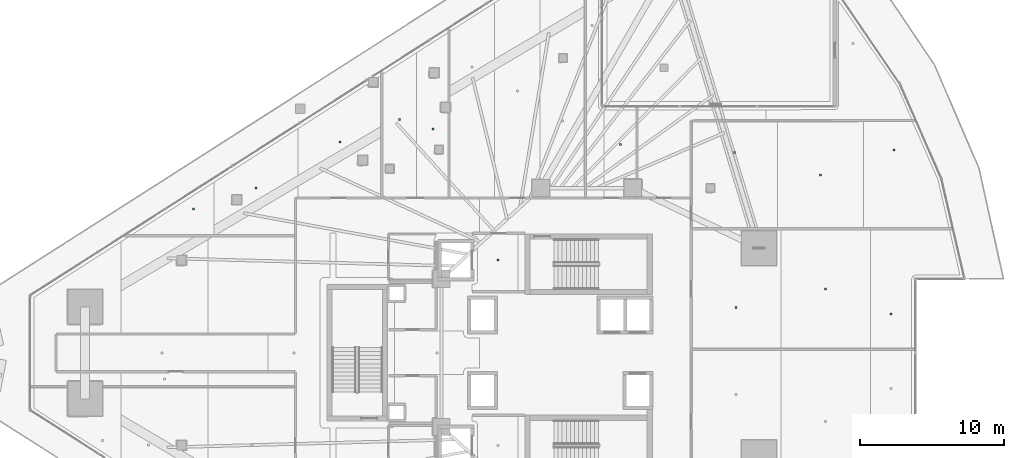
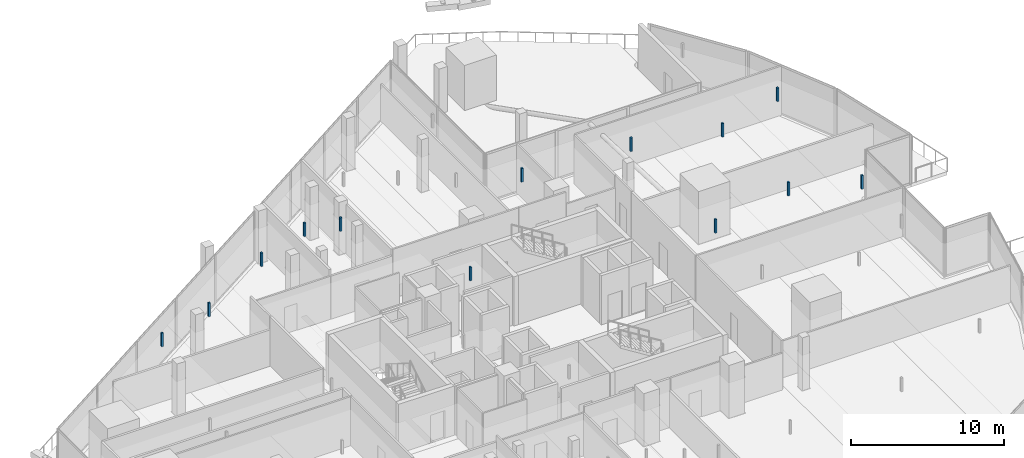
# One storey, part 36 of 47: 13 discrete accessories.
"""IFC4 building model written with IfcOpenShell, lengths in metres."""

from ifc_helpers import new_model, si_unit, direction, frame, origin, origin_2d, place, context, subcontext, project, spatial, rectangle, extrude, material, type_object, element, save


model = new_model("IFC4")

# Units and contexts
model_context = context("Model", 3, precision=1e-05, world=origin(), true_north=direction((0.0, 1.0)))
body_context = subcontext(model_context, "Body", "Model", "MODEL_VIEW")
ifc_project = project(units=[si_unit("LENGTHUNIT", "METRE"), si_unit("AREAUNIT", "SQUARE_METRE"), si_unit("VOLUMEUNIT", "CUBIC_METRE"), si_unit("PLANEANGLEUNIT", "RADIAN"), si_unit("MASSUNIT", "GRAM", prefix="KILO")], contexts=[model_context])

# Site, building, storey
site_placement = place(None, origin())
site = spatial("IfcSite", under=ifc_project, at=site_placement, CompositionType="ELEMENT")
building_placement = place(site_placement, origin())
building = spatial("IfcBuilding", under=site, at=building_placement, Name="Qorvath Tower", CompositionType="ELEMENT")
storey_placement = place(building_placement, frame((0.0, 0.0, 82.800048828125)))
storey = spatial("IfcBuildingStorey", under=building, at=storey_placement, Name="L18", CompositionType="ELEMENT", Elevation=82.800048828125)

# Discrete accessories
ifc_material = material(Name="Galvanised steel bracket", Category="steel")
discrete_accessory_type = type_object("IfcDiscreteAccessoryType", Name="DA-BRACKET", PredefinedType="BRACKET", material=ifc_material)
for number, where, z_axis, x_axis, name in (
    (1, (-26.590087890625, 6.449951171875, 2.85986328125), (0.0, 0.0, 1.0), (1.0, 0.0, 0.0), "Acoustic Ceiling Suspension Hanger T1-L18-001"),
    (2, (-33.4375, 16.2138671875, 2.85986328125), (0.0, 0.0, 1.0), (1.0, 0.0, 0.0), "Acoustic Ceiling Suspension Hanger T1-L18-010"),
    (3, (-31.10693359375, 15.55810546875, 2.85986328125), (0.0, 0.0, 1.0), (1.0, 0.0, 0.0), "Acoustic Ceiling Suspension Hanger T1-L18-011"),
    (4, (-18.066650390625, 14.49560546875, 2.85986328125), (0.0, 0.0, 1.0), (1.0, 0.0, 0.0), "Acoustic Ceiling Suspension Hanger T1-L18-016"),
    (5, (-10.02392578125, 3.14404296875, 2.85986328125), (0.0, 0.0, 1.0), (1.0, 0.0, 0.0), "Acoustic Ceiling Suspension Hanger T1-L18-030"),
    (6, (-3.798095703125, 4.43505859375, 2.85986328125), (0.0, 0.0, 1.0), (1.0, 0.0, 0.0), "Acoustic Ceiling Suspension Hanger T1-L18-031"),
    (7, (0.7470703125, 2.697509765625, 2.85986328125), (0.0, 0.0, 1.0), (1.0, 0.0, 0.0), "Acoustic Ceiling Suspension Hanger T1-L18-032"),
    (8, (-10.148681640625, 13.938232421875, 2.85986328125), (0.0, 0.0, 1.0), (1.0, 0.0, 0.0), "Acoustic Ceiling Suspension Hanger T1-L18-033"),
    (9, (-4.171875, 12.376953125, 2.85986328125), (0.0, 0.0, 1.0), (1.0, 0.0, 0.0), "Acoustic Ceiling Suspension Hanger T1-L18-034"),
    (10, (0.96337890625, 14.086669921875, 2.85986328125), (0.0, 0.0, 1.0), (1.0, 0.0, 0.0), "Acoustic Ceiling Suspension Hanger T1-L18-035"),
    (11, (-47.7578125, 10.007080078125, 2.85986328125), (0.0, 0.0, 1.0), (1.0, 0.0, 0.0), "Acoustic Ceiling Suspension Hanger T1-L18-044"),
    (12, (-43.392822265625, 11.443359375, 2.85986328125), (0.0, 0.0, 1.0), (1.0, 0.0, 0.0), "Acoustic Ceiling Suspension Hanger T1-L18-045"),
    (13, (-37.572998046875, 14.66748046875, 2.85986328125), (0.0, 0.0, 1.0), (1.0, 0.0, 0.0), "Acoustic Ceiling Suspension Hanger T1-L18-046"),
):
    element("IfcDiscreteAccessory", number, at=place(storey_placement, frame(where, z_axis=z_axis, x_axis=x_axis)), inside=storey, type_object=discrete_accessory_type, Name=name, PredefinedType="NOTDEFINED", context=body_context, shape_type="SweptSolid", body=[
        extrude(rectangle(XDim=0.139892578125, YDim=0.139892578125, at=origin_2d()), origin(), (0.0, 0.0, 1.0), 1.090087890625),
    ])

save(model, "model.ifc")
